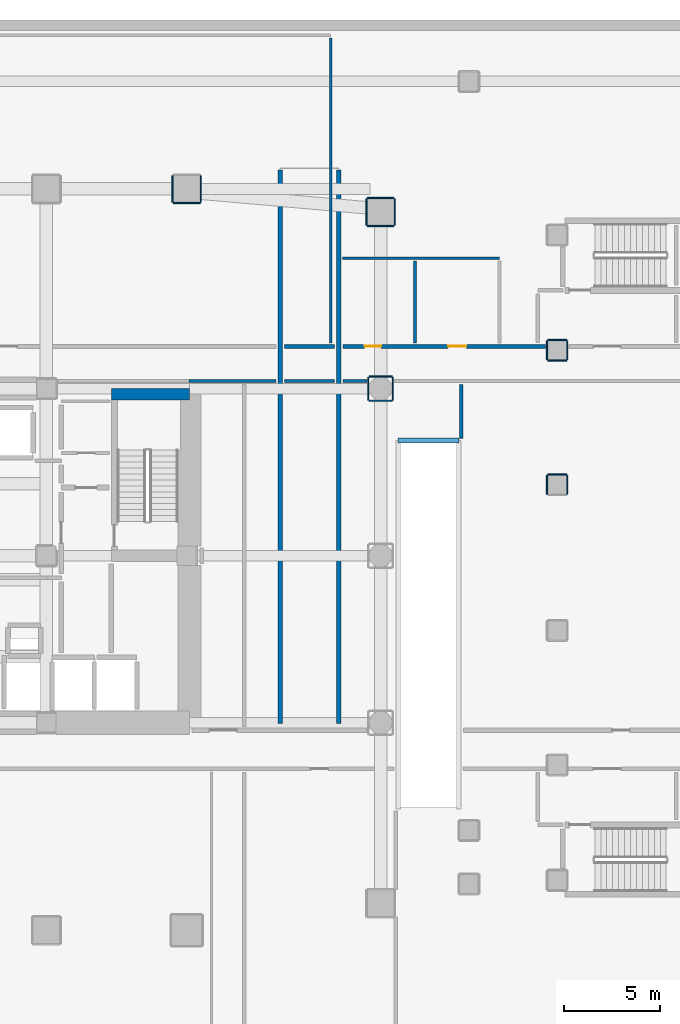
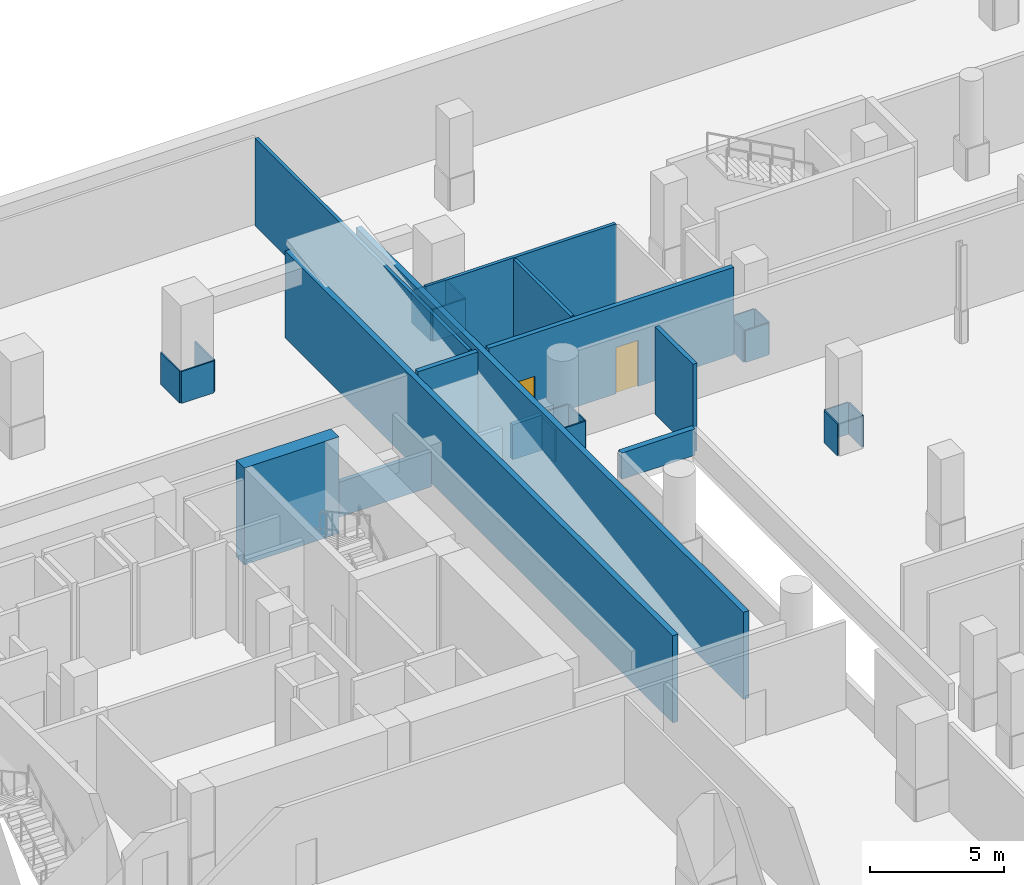
# One storey, part 12 of 22: 31 walls, 2 doors, 2 openings.
"""IFC4 building model written with IfcOpenShell, lengths in metres."""

from ifc_helpers import new_model, si_unit, direction, frame, frame_2d, origin, place, context, subcontext, project, spatial, rectangle, extrude, material, layer, layer_set, type_object, element, fill, save


model = new_model("IFC4")

# Units and contexts
model_context = context("Model", 3, precision=1e-05, world=origin(), true_north=direction((0.0, 1.0)))
body_context = subcontext(model_context, "Body", "Model", "MODEL_VIEW")
ifc_project = project(units=[si_unit("LENGTHUNIT", "METRE"), si_unit("AREAUNIT", "SQUARE_METRE"), si_unit("VOLUMEUNIT", "CUBIC_METRE"), si_unit("PLANEANGLEUNIT", "RADIAN"), si_unit("MASSUNIT", "GRAM", prefix="KILO")], contexts=[model_context])

# Site, building, storey
site_placement = place(None, origin())
site = spatial("IfcSite", under=ifc_project, at=site_placement, CompositionType="ELEMENT")
building_placement = place(site_placement, origin())
building = spatial("IfcBuilding", under=site, at=building_placement, Name="Solanera Arch Residences", CompositionType="ELEMENT")
storey_placement = place(building_placement, frame((0.0, 0.0, -4.39990234375)))
storey = spatial("IfcBuildingStorey", under=building, at=storey_placement, Name="B01", CompositionType="ELEMENT", Elevation=-4.39990234375)

# Walls
ifc_material_1 = material(Name="Fire-Rated Gypsum Stud Partition", Category="gypsum")
ifc_layer_1 = layer(ifc_material_1, 0.06005859375)
ifc_layer_set_1 = layer_set([ifc_layer_1], Name="Fire-Rated Gypsum Stud Partition")
wall_type_1 = type_object("IfcWallType", Name="Column Acoustic Furring Wall 60", PredefinedType="PARTITIONING", material=ifc_layer_set_1)
for number, where, z_axis, x_axis, name in (
    (1, (35.800048828125, 49.068115234375, 0.0), (0.0, 0.0, 1.0), (1.0, 0.0, 0.0), "B01 Column Furring 14S"),
    (2, (35.76806640625, 49.10009765625, 0.0), (0.0, 0.0, 1.0), (0.0, 1.0, 0.0), "B01 Column Furring 14W"),
    (3, (37.23193359375, 49.10009765625, 0.0), (0.0, 0.0, 1.0), (0.0, 1.0, 0.0), "B01 Column Furring 14E"),
):
    element("IfcWall", number, at=place(storey_placement, frame(where, z_axis=z_axis, x_axis=x_axis)), inside=storey, type_object=wall_type_1, Name=name, PredefinedType="PARTITIONING", context=body_context, shape_type="SweptSolid", body=[
        extrude(rectangle(XDim=1.39990234375, YDim=0.06005859375, at=frame_2d((0.699951171875, 0.0))), origin(), (0.0, 0.0, 1.0), 1.449951171875),
    ])
for number, where, z_axis, x_axis, name in (
    (4, (46.0, 38.76806640625, 0.0), (0.0, 0.0, 1.0), (1.0, 0.0, 0.0), "B01 Column Furring 20S"),
    (5, (46.0, 40.031982421875, 0.0), (0.0, 0.0, 1.0), (1.0, 0.0, 0.0), "B01 Column Furring 20N"),
    (6, (45.968017578125, 38.800048828125, 0.0), (0.0, 0.0, 1.0), (0.0, 1.0, 0.0), "B01 Column Furring 20W"),
    (7, (47.23193359375, 38.800048828125, 0.0), (0.0, 0.0, 1.0), (0.0, 1.0, 0.0), "B01 Column Furring 20E"),
):
    element("IfcWall", number, at=place(storey_placement, frame(where, z_axis=z_axis, x_axis=x_axis)), inside=storey, type_object=wall_type_1, Name=name, PredefinedType="PARTITIONING", context=body_context, shape_type="SweptSolid", body=[
        extrude(rectangle(XDim=1.199951171875, YDim=0.06005859375, at=frame_2d((0.60009765625, 0.0))), origin(), (0.0, 0.0, 1.0), 1.449951171875),
    ])
for number, where, z_axis, x_axis, name in (
    (8, (45.89990234375, 47.867919921875, 0.0), (0.0, 0.0, 1.0), (1.0, 0.0, 0.0), "B01 Column Furring 24S"),
    (9, (45.89990234375, 49.33203125, 0.0), (0.0, 0.0, 1.0), (1.0, 0.0, 0.0), "B01 Column Furring 24N"),
    (10, (45.867919921875, 47.89990234375, 0.0), (0.0, 0.0, 1.0), (0.0, 1.0, 0.0), "B01 Column Furring 24W"),
    (11, (47.33203125, 47.89990234375, 0.0), (0.0, 0.0, 1.0), (0.0, 1.0, 0.0), "B01 Column Furring 24E"),
):
    element("IfcWall", number, at=place(storey_placement, frame(where, z_axis=z_axis, x_axis=x_axis)), inside=storey, type_object=wall_type_1, Name=name, PredefinedType="PARTITIONING", context=body_context, shape_type="SweptSolid", body=[
        extrude(rectangle(XDim=1.400146484375, YDim=0.06005859375, at=frame_2d((0.7001953125, 0.0))), origin(), (0.0, 0.0, 1.0), 1.449951171875),
    ])
for number, where, z_axis, x_axis, name in (
    (12, (55.300048828125, 34.931884765625, 0.0), (0.0, 0.0, 1.0), (1.0, 0.0, 0.0), "B01 Column Furring 46N"),
    (13, (55.26806640625, 33.89990234375, 0.0), (0.0, 0.0, 1.0), (0.0, 1.0, 0.0), "B01 Column Furring 46W"),
    (14, (56.33203125, 33.89990234375, 0.0), (0.0, 0.0, 1.0), (0.0, 1.0, 0.0), "B01 Column Furring 46E"),
    (15, (55.300048828125, 40.867919921875, 0.0), (0.0, 0.0, 1.0), (1.0, 0.0, 0.0), "B01 Column Furring 47S"),
    (16, (55.300048828125, 41.931884765625, 0.0), (0.0, 0.0, 1.0), (1.0, 0.0, 0.0), "B01 Column Furring 47N"),
    (17, (55.26806640625, 40.89990234375, 0.0), (0.0, 0.0, 1.0), (0.0, 1.0, 0.0), "B01 Column Furring 47W"),
    (18, (56.33203125, 40.89990234375, 0.0), (0.0, 0.0, 1.0), (0.0, 1.0, 0.0), "B01 Column Furring 47E"),
):
    element("IfcWall", number, at=place(storey_placement, frame(where, z_axis=z_axis, x_axis=x_axis)), inside=storey, type_object=wall_type_1, Name=name, PredefinedType="PARTITIONING", context=body_context, shape_type="SweptSolid", body=[
        extrude(rectangle(XDim=1.0, YDim=0.06005859375, at=frame_2d((0.5, 0.0))), origin(), (0.0, 0.0, 1.0), 1.449951171875),
    ])
ifc_material_2 = material(Name="Concrete C40/50 (f'c = 45 MPa)", Category="concrete")
ifc_layer_2 = layer(ifc_material_2, 0.60009765625)
ifc_layer_set_2 = layer_set([ifc_layer_2], Name="Concrete C40/50 (f'c = 45 MPa)")
wall_type_2 = type_object("IfcWallType", Name="Core Shear Wall CW-600", PredefinedType="SHEAR", material=ifc_layer_set_2)
wall_1_placement = place(storey_placement, frame((32.580078125, 39.10009765625, 0.0), z_axis=(0.0, 0.0, 1.0), x_axis=(1.0, 0.0, 0.0)))
element("IfcWall", 19, at=wall_1_placement, inside=storey, type_object=wall_type_2, Name="B01 North-East Core Shear Wall", PredefinedType="SHEAR", context=body_context, shape_type="SweptSolid", body=[
    extrude(rectangle(XDim=4.079833984375, YDim=0.60009765625, at=frame_2d((2.0400390625, 0.0))), origin(), (0.0, 0.0, 1.0), 4.39990234375),
])
ifc_material_3 = material(Name="Autoclaved Aerated Concrete Blockwork", Category="masonry")
ifc_layer_3 = layer(ifc_material_3, 0.179931640625)
ifc_layer_set_3 = layer_set([ifc_layer_3], Name="Autoclaved Aerated Concrete Blockwork")
wall_type_3 = type_object("IfcWallType", Name="Corridor Fire Partition 180", PredefinedType="PARTITIONING", material=ifc_layer_set_3)
wall_2_placement = place(storey_placement, frame((36.6201171875, 39.800048828125, 0.0), z_axis=(0.0, 0.0, 1.0), x_axis=(1.0, 0.0, 0.0)))
element("IfcWall", 20, at=wall_2_placement, inside=storey, type_object=wall_type_3, Name="B01 Interior Partition H15 3", PredefinedType="PARTITIONING", context=body_context, shape_type="SweptSolid", body=[
    extrude(rectangle(XDim=4.5419921875, YDim=0.179931640625, at=frame_2d((2.27099609375, 0.0))), origin(), (0.0, 0.0, 1.0), 1.594970703125),
])
wall_3_placement = place(storey_placement, frame((41.597900390625, 39.800048828125, 0.0), z_axis=(0.0, 0.0, 1.0), x_axis=(1.0, 0.0, 0.0)))
element("IfcWall", 21, at=wall_3_placement, inside=storey, type_object=wall_type_3, Name="B01 Interior Partition H15 4", PredefinedType="PARTITIONING", context=body_context, shape_type="SweptSolid", body=[
    extrude(rectangle(XDim=2.60400390625, YDim=0.179931640625, at=frame_2d((1.302001953125, 0.0))), origin(), (0.0, 0.0, 1.0), 1.594970703125),
])
wall_4_placement = place(storey_placement, frame((44.637939453125, 39.800048828125, 0.0), z_axis=(0.0, 0.0, 1.0), x_axis=(1.0, 0.0, 0.0)))
element("IfcWall", 22, at=wall_4_placement, inside=storey, type_object=wall_type_3, Name="B01 Interior Partition H15 5", PredefinedType="PARTITIONING", context=body_context, shape_type="SweptSolid", body=[
    extrude(rectangle(XDim=1.260009765625, YDim=0.179931640625, at=frame_2d((0.6298828125, 0.0))), origin(), (0.0, 0.0, 1.0), 1.594970703125),
])
wall_5_placement = place(storey_placement, frame((50.800048828125, 36.798095703125, 0.0), z_axis=(0.0, 0.0, 1.0), x_axis=(0.0, 1.0, 0.0)))
element("IfcWall", 23, at=wall_5_placement, inside=storey, type_object=wall_type_3, Name="B01 Interior Partition V16", PredefinedType="PARTITIONING", context=body_context, shape_type="SweptSolid", body=[
    extrude(rectangle(XDim=2.81396484375, YDim=0.179931640625, at=frame_2d((1.406982421875, 0.0))), origin(), (0.0, 0.0, 1.0), 3.97998046875),
])
ifc_material_4 = material(Name="Precast Concrete C35/45", Category="concrete")
ifc_layer_4 = layer(ifc_material_4, 0.239990234375)
ifc_layer_set_4 = layer_set([ifc_layer_4], Name="Precast Concrete C35/45")
wall_type_4 = type_object("IfcWallType", Name="Parapet Wall Precast 240", PredefinedType="PARAPET", material=ifc_layer_set_4)
wall_6_placement = place(storey_placement, frame((47.52001953125, 36.699951171875, 0.0), z_axis=(0.0, 0.0, 1.0), x_axis=(1.0, 0.0, 0.0)))
element("IfcWall", 24, at=wall_6_placement, inside=storey, type_object=wall_type_4, Name="B01 Vehicle Ramp North Guard Wall", PredefinedType="PARAPET", context=body_context, shape_type="SweptSolid", body=[
    extrude(rectangle(XDim=3.159912109375, YDim=0.239990234375, at=frame_2d((1.580078125, 0.0))), origin(), (0.0, 0.0, 1.0), 1.199951171875),
])
for number, where, z_axis, x_axis, name in (
    (25, (41.3798828125, 21.949951171875, 0.0), (0.0, 0.0, 1.0), (0.0, 1.0, 0.0), "B01 Exit Ramp West Enclosure Wall"),
    (26, (44.419921875, 21.949951171875, 0.0), (0.0, 0.0, 1.0), (0.0, 1.0, 0.0), "B01 Exit Ramp East Enclosure Wall"),
):
    element("IfcWall", number, at=place(storey_placement, frame(where, z_axis=z_axis, x_axis=x_axis)), inside=storey, type_object=wall_type_4, Name=name, PredefinedType="PARAPET", context=body_context, shape_type="SweptSolid", body=[
        extrude(rectangle(XDim=28.85009765625, YDim=0.239990234375, at=frame_2d((14.425048828125, 0.0))), origin(), (0.0, 0.0, 1.0), 3.9599609375),
    ])
ifc_material_5 = material(Name="Autoclaved Aerated Concrete Blockwork", Category="masonry")
ifc_layer_5 = layer(ifc_material_5, 0.199951171875)
ifc_layer_set_5 = layer_set([ifc_layer_5], Name="Autoclaved Aerated Concrete Blockwork")
wall_type_5 = type_object("IfcWallType", Name="Party Wall Acoustic 200", PredefinedType="PARTITIONING", material=ifc_layer_set_5)
wall_7_placement = place(storey_placement, frame((41.60791015625, 41.60009765625, 0.0), z_axis=(0.0, 0.0, 1.0), x_axis=(1.0, 0.0, 0.0)))
element("IfcWall", 27, at=wall_7_placement, inside=storey, type_object=wall_type_5, Name="B01 Interior Partition H8 2", PredefinedType="PARTITIONING", context=body_context, shape_type="SweptSolid", body=[
    extrude(rectangle(XDim=2.583984375, YDim=0.199951171875, at=frame_2d((1.2919921875, 0.0))), origin(), (0.0, 0.0, 1.0), 3.97998046875),
])

# Wall, openings, doors
wall_8_placement = place(storey_placement, frame((44.64794921875, 41.60009765625, 0.0), z_axis=(0.0, 0.0, 1.0), x_axis=(1.0, 0.0, 0.0)))
wall_8 = element("IfcWall", 28, at=wall_8_placement, inside=storey, type_object=wall_type_5, Name="B01 Interior Partition H8 3", PredefinedType="PARTITIONING", context=body_context, shape_type="SweptSolid", body=[
    extrude(rectangle(XDim=10.5400390625, YDim=0.199951171875, at=frame_2d((5.27001953125, 0.0))), origin(), (0.0, 0.0, 1.0), 3.97998046875),
])
opening_1_placement = place(wall_8_placement, frame((1.1220703125, 0.0, 0.0)))
opening_1 = element("IfcOpeningElement", 29, at=opening_1_placement, cuts=wall_8, Name="Opening DI-05", PredefinedType="OPENING", context=body_context, shape_type="SweptSolid", body=[
    extrude(rectangle(XDim=0.860107421875, YDim=2.02001953125, at=frame_2d((0.43017578125, 1.010009765625))), frame((0.0, 0.110107421875, 0.0), z_axis=(0.0, -1.0, 0.0), x_axis=(1.0, 0.0, 0.0)), (0.0, 0.0, 1.0), 0.22),
])
opening_2_placement = place(wall_8_placement, frame((5.47705078125, 0.0, 0.0)))
opening_2 = element("IfcOpeningElement", 30, at=opening_2_placement, cuts=wall_8, Name="Opening DI-04", PredefinedType="OPENING", context=body_context, shape_type="SweptSolid", body=[
    extrude(rectangle(XDim=0.949951171875, YDim=2.10009765625, at=frame_2d((0.47509765625, 1.050048828125))), frame((0.0, 0.110107421875, 0.0), z_axis=(0.0, -1.0, 0.0), x_axis=(1.0, 0.0, 0.0)), (0.0, 0.0, 1.0), 0.22),
])
ifc_material_6 = material(Name="Fire-Rated Architectural Hardwood", Category="wood")
door_type_1 = type_object("IfcDoorType", Name="Accessible Restroom Door DI-04", OperationType="NOTDEFINED", PredefinedType="DOOR", material=ifc_material_6)
door_1_placement = place(opening_2_placement, origin())
door_1 = element("IfcDoor", 31, at=door_1_placement, inside=storey, type_object=door_type_1, Name="DR-B01-IN-030", OperationType="SINGLE_SWING_LEFT", OverallHeight=2.10009765625, OverallWidth=0.949951171875, PredefinedType="DOOR", context=body_context, shape_type="SweptSolid", body=[
    extrude(rectangle(XDim=0.949951171875, YDim=2.10009765625, at=frame_2d((0.47509765625, 1.050048828125))), frame((0.0, 0.02490234375, 0.0), z_axis=(0.0, -1.0, 0.0), x_axis=(1.0, 0.0, 0.0)), (0.0, 0.0, 1.0), 0.050048828125),
])
fill(opening_2, door_1)
ifc_material_7 = material(Name="Fire-Rated Architectural Hardwood", Category="wood")
door_type_2 = type_object("IfcDoorType", Name="Bathroom Swing Door DI-05", OperationType="NOTDEFINED", PredefinedType="DOOR", material=ifc_material_7)
door_2_placement = place(opening_1_placement, origin())
door_2 = element("IfcDoor", 32, at=door_2_placement, inside=storey, type_object=door_type_2, Name="DR-B01-IN-029", OperationType="SINGLE_SWING_RIGHT", OverallHeight=2.02001953125, OverallWidth=0.860107421875, PredefinedType="DOOR", context=body_context, shape_type="SweptSolid", body=[
    extrude(rectangle(XDim=0.860107421875, YDim=2.02001953125, at=frame_2d((0.43017578125, 1.010009765625))), frame((0.0, 0.02490234375, 0.0), z_axis=(0.0, -1.0, 0.0), x_axis=(1.0, 0.0, 0.0)), (0.0, 0.0, 1.0), 0.050048828125),
])
fill(opening_1, door_2)

# Walls
ifc_material_8 = material(Name="Autoclaved Aerated Concrete Blockwork", Category="masonry")
ifc_layer_6 = layer(ifc_material_8, 0.139892578125)
ifc_layer_set_6 = layer_set([ifc_layer_6], Name="Autoclaved Aerated Concrete Blockwork")
wall_type_6 = type_object("IfcWallType", Name="Wet-Room Partition 140", PredefinedType="PARTITIONING", material=ifc_layer_set_6)
wall_9_placement = place(storey_placement, frame((44.617919921875, 46.199951171875, 0.0), z_axis=(0.0, 0.0, 1.0), x_axis=(1.0, 0.0, 0.0)))
element("IfcWall", 33, at=wall_9_placement, inside=storey, type_object=wall_type_6, Name="B01 Interior Partition H19", PredefinedType="PARTITIONING", context=body_context, shape_type="SweptSolid", body=[
    extrude(rectangle(XDim=8.18212890625, YDim=0.139892578125, at=frame_2d((4.091064453125, 0.0))), origin(), (0.0, 0.0, 1.0), 3.97998046875),
])
wall_10_placement = place(storey_placement, frame((44.0, 41.778076171875, 0.0), z_axis=(0.0, 0.0, 1.0), x_axis=(0.0, 1.0, 0.0)))
element("IfcWall", 34, at=wall_10_placement, inside=storey, type_object=wall_type_6, Name="B01 Interior Partition V21", PredefinedType="PARTITIONING", context=body_context, shape_type="SweptSolid", body=[
    extrude(rectangle(XDim=15.884033203125, YDim=0.139892578125, at=frame_2d((7.94189453125, 0.0))), origin(), (0.0, 0.0, 1.0), 3.97998046875),
])
wall_11_placement = place(storey_placement, frame((48.39990234375, 41.778076171875, 0.0), z_axis=(0.0, 0.0, 1.0), x_axis=(0.0, 1.0, 0.0)))
element("IfcWall", 35, at=wall_11_placement, inside=storey, type_object=wall_type_6, Name="B01 Interior Partition V22", PredefinedType="PARTITIONING", context=body_context, shape_type="SweptSolid", body=[
    extrude(rectangle(XDim=4.27392578125, YDim=0.139892578125, at=frame_2d((2.136962890625, 0.0))), origin(), (0.0, 0.0, 1.0), 3.97998046875),
])

save(model, "model.ifc")
